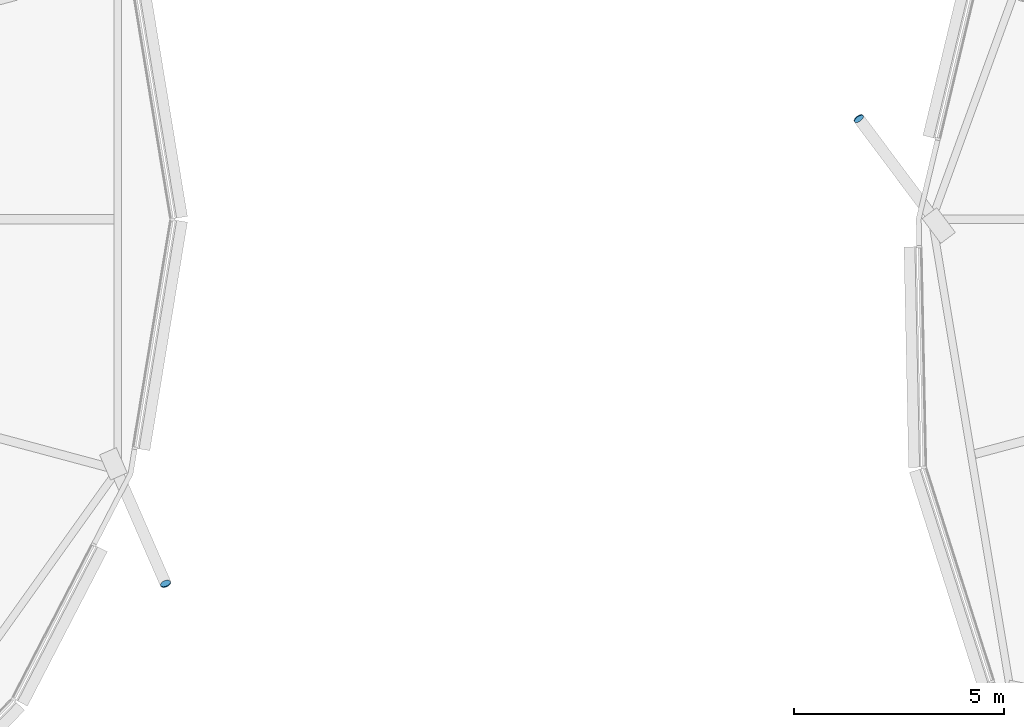
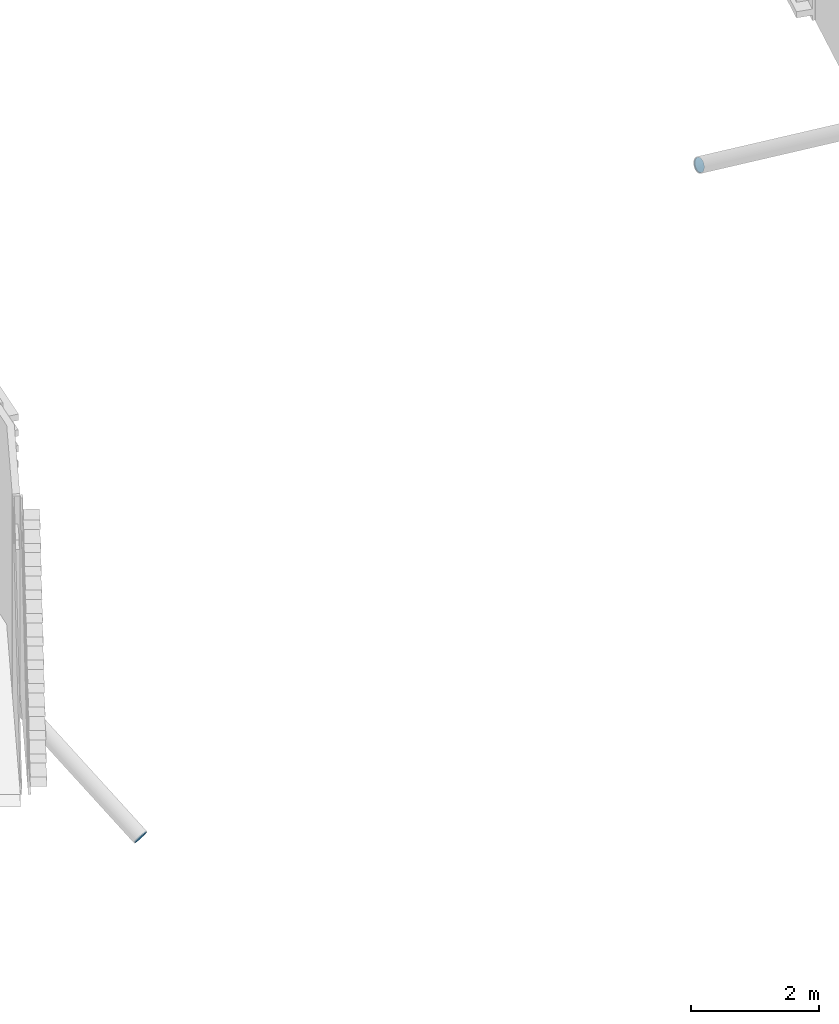
# One storey, part 28 of 38: 2 discrete accessories.
"""IFC4 building model written with IfcOpenShell, lengths in metres."""

from ifc_helpers import new_model, si_unit, direction, frame, origin, origin_2d, place, context, subcontext, project, spatial, circle, extrude, material, material_profile, profile_set, type_object, element, save


model = new_model("IFC4")

# Units and contexts
model_context = context("Model", 3, precision=1e-05, world=origin(), true_north=direction((0.0, 1.0)))
body_context = subcontext(model_context, "Body", "Model", "MODEL_VIEW")
ifc_project = project(units=[si_unit("LENGTHUNIT", "METRE"), si_unit("AREAUNIT", "SQUARE_METRE"), si_unit("VOLUMEUNIT", "CUBIC_METRE"), si_unit("PLANEANGLEUNIT", "RADIAN"), si_unit("MASSUNIT", "GRAM", prefix="KILO")], contexts=[model_context])

# Site, building, storey
site_placement = place(None, origin())
site = spatial("IfcSite", under=ifc_project, at=site_placement, CompositionType="ELEMENT")
building_placement = place(site_placement, origin())
building = spatial("IfcBuilding", under=site, at=building_placement, Name="Rimbun Link Towers", CompositionType="ELEMENT")
storey_placement = place(building_placement, frame((0.0, 0.0, 71.800048828125)))
storey = spatial("IfcBuildingStorey", under=building, at=storey_placement, Name="L17", CompositionType="ELEMENT", Elevation=71.800048828125)

# Discrete accessories
ifc_material = material(Name="Steel S355J2H", Category="steel")
ifc_material_profile = material_profile(ifc_material, circle(Radius=0.1240234375, at=origin_2d()), Name="PL D248")
ifc_profile_set = profile_set([ifc_material_profile], Name="Steel S355J2H")
discrete_accessory_type = type_object("IfcDiscreteAccessoryType", Name="Link foot sealing plate D248X20", PredefinedType="BRACKET", material=ifc_profile_set)
for number, where, z_axis, x_axis, name in (
    (1, (-8.3603515625, -8.666015625, -2.769775390625), (0.329292779969, -0.768349819928, -0.548821299948), (0.919145030018, 0.393919298579, 0.0), "Link foot sealing plate T1 L17 23"),
    (2, (8.1416015625, 2.389404296875, -2.413818359375), (-0.524000739099, 0.706791694599, -0.4752564843), (-0.803311771616, -0.595558727233, 0.0), "Link foot sealing plate T2 L17 09"),
):
    element("IfcDiscreteAccessory", number, at=place(storey_placement, frame(where, z_axis=z_axis, x_axis=x_axis)), inside=storey, type_object=discrete_accessory_type, Name=name, PredefinedType="BRACKET", context=body_context, shape_type="SweptSolid", body=[
        extrude(circle(Radius=0.1240234375, at=origin_2d()), origin(), (0.0, 0.0, 1.0), 0.02001953125),
    ])

save(model, "model.ifc")
